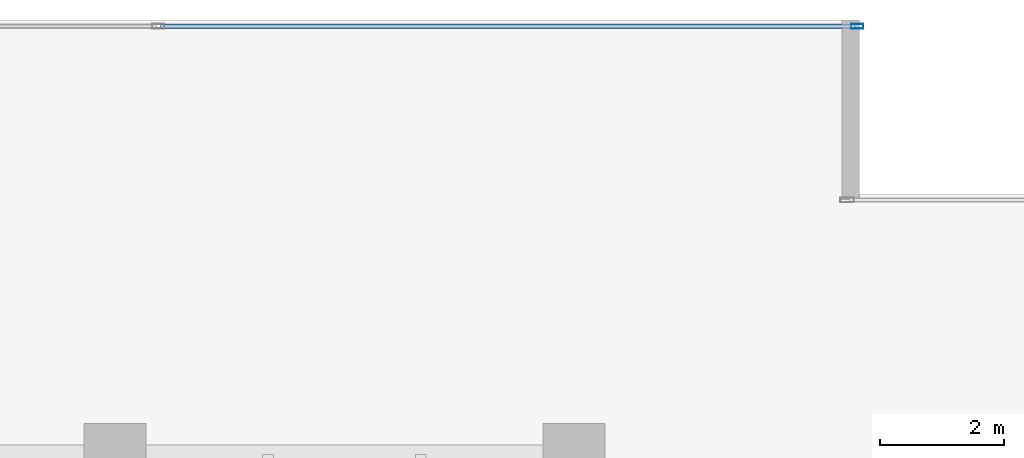
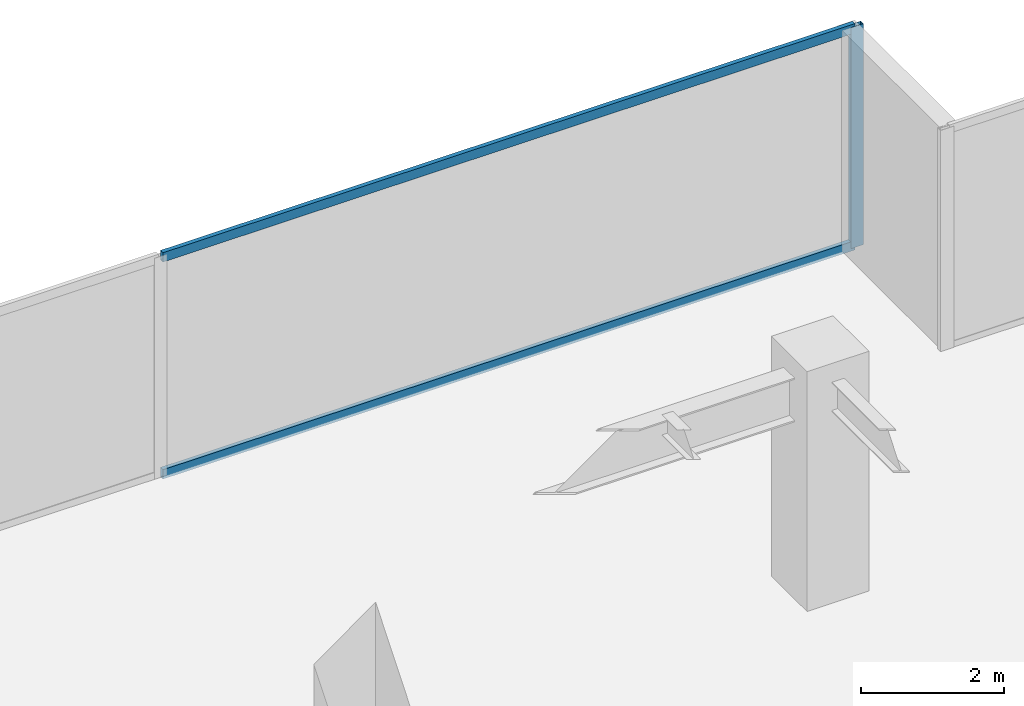
# One storey, part 27 of 35: 3 members, 1 element without a shape of its own.
"""IFC4 building model written with IfcOpenShell, lengths in metres."""

from ifc_helpers import new_model, si_unit, direction, frame, origin, origin_2d, place, context, subcontext, project, spatial, hollow_rectangle, extrude, source, transform, mapped, material, layer, layer_set, material_profile, profile_set, type_object, type_shapes, element, aggregate, save


model = new_model("IFC4")

# Units and contexts
model_context = context("Model", 3, precision=1e-05, world=origin(), true_north=direction((0.0, 1.0)))
body_context = subcontext(model_context, "Body", "Model", "MODEL_VIEW")
ifc_project = project(units=[si_unit("LENGTHUNIT", "METRE"), si_unit("AREAUNIT", "SQUARE_METRE"), si_unit("VOLUMEUNIT", "CUBIC_METRE"), si_unit("PLANEANGLEUNIT", "RADIAN"), si_unit("MASSUNIT", "GRAM", prefix="KILO")], contexts=[model_context])

# Site, building, storey
site_placement = place(None, origin())
site = spatial("IfcSite", under=ifc_project, at=site_placement, CompositionType="ELEMENT")
building_placement = place(site_placement, origin())
building = spatial("IfcBuilding", under=site, at=building_placement, Name="Haelvirn Gate Laboratories", CompositionType="ELEMENT")
storey_placement = place(building_placement, frame((0.0, 0.0, 41.60009765625)))
storey = spatial("IfcBuildingStorey", under=building, at=storey_placement, Name="L10", CompositionType="ELEMENT", Elevation=41.60009765625)

# Curtain wall, members
ifc_material_1 = material(Name="Anodised bronze unitised aluminium & triple low-E glass", Category="aluminium")
ifc_layer = layer(ifc_material_1, 0.18408203125, Name="CW-SYS-2")
ifc_layer_set = layer_set([ifc_layer], Name="Anodised bronze unitised aluminium & triple low-E glass")
curtain_wall_type = type_object("IfcCurtainWallType", Name="CW-SYS-2", PredefinedType="NOTDEFINED", material=ifc_layer_set)
curtain_wall_placement = place(storey_placement, origin())
curtain_wall = element("IfcCurtainWall", 1, at=curtain_wall_placement, inside=storey, type_object=curtain_wall_type, Name="L10 Unitised Curtain Wall CW-L10-P0-E10-1", PredefinedType="NOTDEFINED")
ifc_material_2 = material(Name="Extruded aluminium 6063-T6 (anodised bronze)", Category="aluminium")
ifc_material_profile_1 = material_profile(ifc_material_2, hollow_rectangle(XDim=0.070068359375, YDim=0.159912109375, WallThickness=0.0048828125, at=origin_2d()), Name="CWT-160x70x5")
ifc_profile_set_1 = profile_set([ifc_material_profile_1], Name="Extruded aluminium 6063-T6 (anodised bronze)")
member_type_1 = type_object("IfcMemberType", Name="CWT-T160", PredefinedType="USERDEFINED", material=ifc_profile_set_1)
shared_shape_1 = source(origin(), body_context, "Body", "SweptSolid", [
    extrude(hollow_rectangle(XDim=0.070068359375, YDim=0.159912109375, WallThickness=0.0048828125, at=origin_2d()), origin(), (0.0, 0.0, 1.0), 11.1875),
])
type_shapes(member_type_1, [shared_shape_1])
member_1_placement = place(storey_placement, frame((60.737548828125, 48.5, 0.034912109375), z_axis=(1.0, 0.0, 0.0), x_axis=(0.0, 1.0, 0.0)))
member_1 = element("IfcMember", 2, at=member_1_placement, type_object=member_type_1, Name="CW2 transom 2.1", ObjectType="TRANSOM", PredefinedType="USERDEFINED", context=body_context, shape_type="MappedRepresentation", body=[
    mapped(shared_shape_1, transform((0.0, 0.0, 0.0), scale=1.0)),
])
member_2_placement = place(storey_placement, frame((60.737548828125, 48.5, 3.744873046875), z_axis=(1.0, 0.0, 0.0), x_axis=(0.0, 1.0, 0.0)))
member_2 = element("IfcMember", 3, at=member_2_placement, type_object=member_type_1, Name="CW2 transom 2.2", ObjectType="TRANSOM", PredefinedType="USERDEFINED", context=body_context, shape_type="MappedRepresentation", body=[
    mapped(shared_shape_1, transform((0.0, 0.0, 0.0), scale=1.0)),
])
ifc_material_profile_2 = material_profile(ifc_material_2, hollow_rectangle(XDim=0.074951171875, YDim=0.199951171875, WallThickness=0.0048828125, at=origin_2d()), Name="CWM-200x75x5")
ifc_profile_set_2 = profile_set([ifc_material_profile_2], Name="Extruded aluminium 6063-T6 (anodised bronze)")
member_type_2 = type_object("IfcMemberType", Name="CWM-T200", PredefinedType="MULLION", material=ifc_profile_set_2)
shared_shape_2 = source(origin(), body_context, "Body", "SweptSolid", [
    extrude(hollow_rectangle(XDim=0.074951171875, YDim=0.199951171875, WallThickness=0.0048828125, at=origin_2d()), origin(), (0.0, 0.0, 1.0), 3.77978515625),
])
type_shapes(member_type_2, [shared_shape_2])
member_3_placement = place(storey_placement, frame((71.96240234375, 48.5, 0.0), z_axis=(0.0, 0.0, 1.0), x_axis=(0.0, 1.0, 0.0)))
member_3 = element("IfcMember", 4, at=member_3_placement, type_object=member_type_2, Name="CW2 mullion 3", PredefinedType="MULLION", context=body_context, shape_type="MappedRepresentation", body=[
    mapped(shared_shape_2, transform((0.0, 0.0, 0.0), scale=1.0)),
])
aggregate(curtain_wall, [member_3, member_1, member_2])

save(model, "model.ifc")
